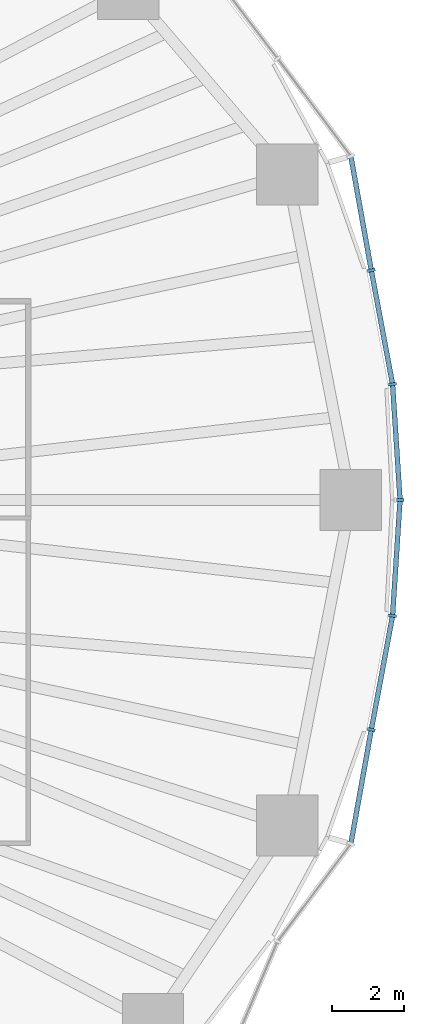
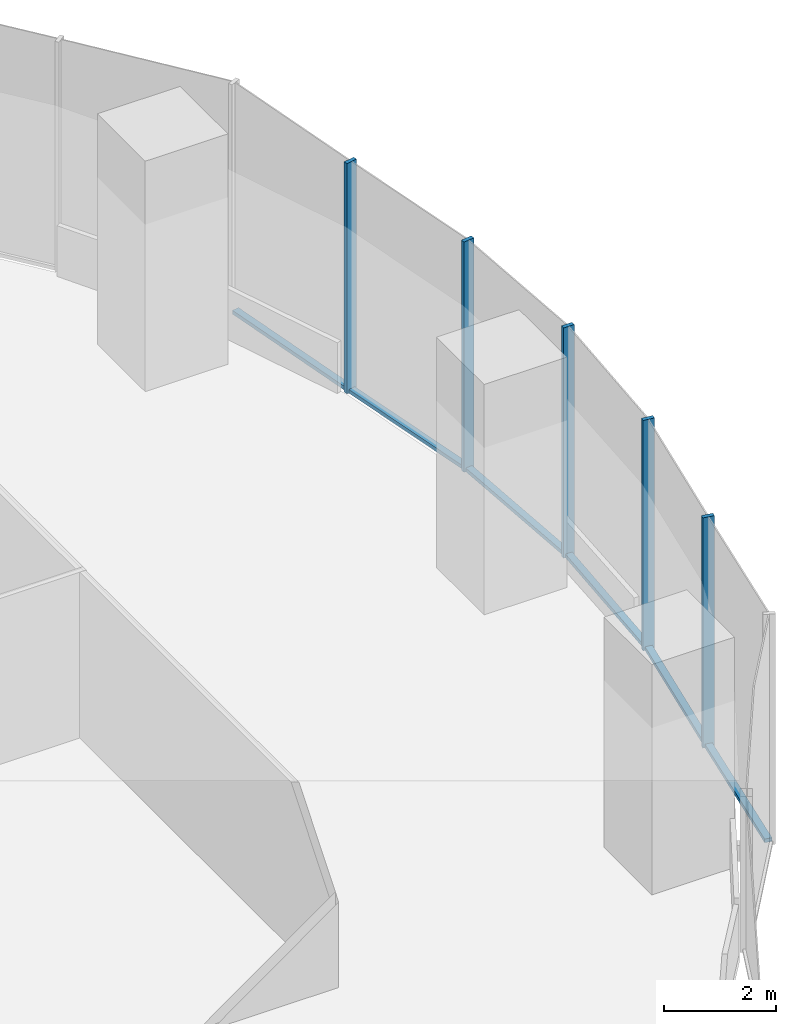
# One storey, part 7 of 20: 11 members, 2 elements without a shape of their own.
"""IFC4 building model written with IfcOpenShell, lengths in metres."""

import ifcopenshell
import ifcopenshell.guid

model = None  # the IFC model being written
_history = None  # IfcOwnerHistory: only IFC2X3 demands one
_inside = {}  # id of a spatial element -> (the spatial element, [elements in it])
_under = {}  # id of a project, library or spatial element -> (it, [spatial elements below it])
_declared = {}  # id of a project -> (the project, [libraries it declares])
_typed = {}  # id of a type object -> (the type object, [elements of that type])
_made_of = {}  # id of a material, layer set ... -> (it, [elements and type objects made of it])


def new_model(schema):
    """Start an empty IFC model of exactly this schema.

    Asked for "IFC4X3", IfcOpenShell would pick the latest addendum, in which some entities
    have other attributes; the version numbers below select the first issue.
    IFC2X3 requires an IfcOwnerHistory on every rooted entity: one is made here for all.
    """
    global model, _history
    if schema == "IFC4X3":
        model = ifcopenshell.file(schema_version=(4, 3, 0, 0))
    else:
        model = ifcopenshell.file(schema=schema)
    _inside.clear()
    _under.clear()
    _declared.clear()
    _typed.clear()
    _made_of.clear()
    _history = None
    if model.schema == "IFC2X3":
        org = make("IfcOrganization", Name="unknown")
        user = make(
            "IfcPersonAndOrganization",
            ThePerson=make("IfcPerson", FamilyName="unknown"),
            TheOrganization=org,
        )
        app = make(
            "IfcApplication",
            ApplicationDeveloper=org,
            Version="unknown",
            ApplicationFullName="unknown",
            ApplicationIdentifier="unknown",
        )
        _history = make(
            "IfcOwnerHistory",
            OwningUser=user,
            OwningApplication=app,
            ChangeAction="ADDED",
            CreationDate=0,
        )
    return model


def make(cls, **values):
    """One entity of the class cls with the attributes given. An attribute that is None is left unset."""
    return model.create_entity(
        cls, **{name: value for name, value in values.items() if value is not None}
    )


def rooted(cls, **values):
    """An entity with a GlobalId (a new one), such as an element, a storey or a relation."""
    return make(cls, GlobalId=ifcopenshell.guid.new(), OwnerHistory=_history, **values)


def si_unit(unit_type, name, prefix=None):
    """IfcSIUnit, for example si_unit("LENGTHUNIT", "METRE", prefix="MILLI")."""
    return make("IfcSIUnit", UnitType=unit_type, Prefix=prefix, Name=name)


def assignment(units):
    """IfcUnitAssignment: the units of a project."""
    return None if units is None else make("IfcUnitAssignment", Units=units)


def point(xyz):
    """IfcCartesianPoint."""
    return None if xyz is None else make("IfcCartesianPoint", Coordinates=xyz)


def direction(xyz):
    """IfcDirection."""
    return None if xyz is None else make("IfcDirection", DirectionRatios=xyz)


def frame(location, z_axis=None, x_axis=None):
    """IfcAxis2Placement3D, a coordinate frame: its origin and axes. An axis left out is left unset."""
    return make(
        "IfcAxis2Placement3D",
        Location=point(location),
        Axis=direction(z_axis),
        RefDirection=direction(x_axis),
    )


def frame_2d(location, x_axis=None):
    """IfcAxis2Placement2D, a coordinate frame in the plane: its origin and x axis."""
    return make(
        "IfcAxis2Placement2D", Location=point(location), RefDirection=direction(x_axis)
    )


def origin():
    """The frame at (0, 0, 0) with its axes left unset."""
    return frame((0.0, 0.0, 0.0))


def origin_2d():
    """The frame at (0, 0) in the plane with its x axis left unset."""
    return frame_2d((0.0, 0.0))


def place(relative_to, where):
    """IfcLocalPlacement: puts the frame where relative to a parent placement (None: the world)."""
    return make(
        "IfcLocalPlacement", PlacementRelTo=relative_to, RelativePlacement=where
    )


def context(
    kind, dimensions, precision=None, world=None, true_north=None, identifier=None
):
    """IfcGeometricRepresentationContext, for example the 3D "Model" context."""
    return make(
        "IfcGeometricRepresentationContext",
        ContextIdentifier=identifier,
        ContextType=kind,
        CoordinateSpaceDimension=dimensions,
        Precision=precision,
        WorldCoordinateSystem=world,
        TrueNorth=true_north,
    )


def subcontext(parent, identifier, kind, view, scale=None):
    """IfcGeometricRepresentationSubContext, for example "Body" below "Model"."""
    return make(
        "IfcGeometricRepresentationSubContext",
        ContextIdentifier=identifier,
        ContextType=kind,
        ParentContext=parent,
        TargetScale=scale,
        TargetView=view,
    )


def project(units=None, contexts=None):
    """IfcProject with its units and contexts."""
    return rooted(
        "IfcProject",
        Name="project",
        RepresentationContexts=contexts,
        UnitsInContext=assignment(units),
    )


def spatial(cls, under=None, at=None, **own):
    """A site, building, storey or space (cls), placed at a placement, below another one or the project."""
    s = rooted(cls, ObjectPlacement=at, **own)
    if under is not None:
        _under.setdefault(under.id(), (under, []))[1].append(s)
    return s


def profile(cls, at=None, kind="AREA", **sizes):
    """A parametric profile (cls). Its sizes go by their IFC names, for example OverallWidth=200.0."""
    return make(cls, ProfileType=kind, Position=at, **sizes)


def rectangle(**sizes):
    """IfcRectangleProfileDef."""
    return profile("IfcRectangleProfileDef", **sizes)


def extrude(swept, where, along, depth):
    """IfcExtrudedAreaSolid: the profile swept, set in the frame where, extruded along a direction by depth."""
    return make(
        "IfcExtrudedAreaSolid",
        SweptArea=swept,
        Position=where,
        ExtrudedDirection=direction(along),
        Depth=depth,
    )


def shape(context_of_items, identifier, shape_type, items):
    """IfcShapeRepresentation: the items that make up one representation, for example the "Body"."""
    return make(
        "IfcShapeRepresentation",
        ContextOfItems=context_of_items,
        RepresentationIdentifier=identifier,
        RepresentationType=shape_type,
        Items=items,
    )


def material(Name=None, Category=None):
    """IfcMaterial."""
    return make("IfcMaterial", Name=Name, Category=Category)


def material_profile(
    of_material, cross_section, Name=None, Category=None, Priority=None
):
    """IfcMaterialProfile: a cross section and its material."""
    return make(
        "IfcMaterialProfile",
        Name=Name,
        Material=of_material,
        Profile=cross_section,
        Priority=Priority,
        Category=Category,
    )


def profile_set(profiles, Name=None, composite=None):
    """IfcMaterialProfileSet."""
    return make(
        "IfcMaterialProfileSet",
        Name=Name,
        MaterialProfiles=profiles,
        CompositeProfile=composite,
    )


def made_of(thing, what):
    """Note that an element or type object is made of a material, layer set ...; save() writes the relation."""
    if what is not None:
        _made_of.setdefault(what.id(), (what, []))[1].append(thing)
    return thing


def type_object(cls, material=None, **own):
    """A type object (cls), such as IfcWallType, which elements share."""
    return made_of(rooted(cls, **own), material)


def element(
    cls,
    number,
    at=None,
    inside=None,
    cuts=None,
    type_object=None,
    material=None,
    context=None,
    identifier="Body",
    shape_type=None,
    held_by="IfcProductDefinitionShape",
    body=None,
    shapes=None,
    **own,
):
    """One element of the class cls, such as IfcWall. Its Tag is "e" and its number.

    at: its placement. inside: the storey or other place that contains it. cuts: it is an
    opening in that element (IfcRelVoidsElement). A single representation is given by context,
    identifier, shape_type and body (its items); several are given by shapes. held_by: the class
    of the entity that holds the representations. save() writes the other relations.
    """
    e = rooted(cls, Tag="e%d" % number, ObjectPlacement=at, **own)
    if body is not None:
        shapes = [shape(context, identifier, shape_type, body)]
    if shapes is not None:
        e.Representation = make(held_by, Representations=shapes)
    if inside is not None:
        _inside.setdefault(inside.id(), (inside, []))[1].append(e)
    if cuts is not None:
        rooted(
            "IfcRelVoidsElement", RelatingBuildingElement=cuts, RelatedOpeningElement=e
        )
    if type_object is not None:
        _typed.setdefault(type_object.id(), (type_object, []))[1].append(e)
    return made_of(e, material)


def aggregate(whole, parts):
    """IfcRelAggregates: a whole, such as a stair, and the parts it consists of."""
    return rooted("IfcRelAggregates", RelatingObject=whole, RelatedObjects=parts)


def save(model, path):
    """Write the relations noted so far, then the file.

    IfcRelAggregates (storeys below a building ...), IfcRelContainedInSpatialStructure (elements
    in a storey), IfcRelDefinesByType, IfcRelAssociatesMaterial and IfcRelDeclares: one each for
    every whole, place, type object, material and project.
    """
    for whole, parts in _under.values():
        aggregate(whole, parts)
    for where, things in _inside.values():
        rooted(
            "IfcRelContainedInSpatialStructure",
            RelatedElements=things,
            RelatingStructure=where,
        )
    for kind, things in _typed.values():
        rooted("IfcRelDefinesByType", RelatedObjects=things, RelatingType=kind)
    for what, things in _made_of.values():
        rooted("IfcRelAssociatesMaterial", RelatedObjects=things, RelatingMaterial=what)
    for by, libraries in _declared.values():
        rooted("IfcRelDeclares", RelatingContext=by, RelatedDefinitions=libraries)
    model.write(path)


model = new_model("IFC4")

# Units and contexts
model_context = context("Model", 3, precision=1e-05, world=origin(), true_north=direction((0.0, 1.0)))
body_context = subcontext(model_context, "Body", "Model", "MODEL_VIEW")
ifc_project = project(units=[si_unit("LENGTHUNIT", "METRE"), si_unit("AREAUNIT", "SQUARE_METRE"), si_unit("VOLUMEUNIT", "CUBIC_METRE"), si_unit("PLANEANGLEUNIT", "RADIAN"), si_unit("MASSUNIT", "GRAM", prefix="KILO")], contexts=[model_context])

# Site, building, storey
site_placement = place(None, origin())
site = spatial("IfcSite", under=ifc_project, at=site_placement, CompositionType="ELEMENT")
building_placement = place(site_placement, origin())
building = spatial("IfcBuilding", under=site, at=building_placement, Name="Ghaith Harvest Tower", CompositionType="ELEMENT")
storey_placement = place(building_placement, frame((0.0, 0.0, 65.0)))
storey = spatial("IfcBuildingStorey", under=building, at=storey_placement, Name="L13", CompositionType="ELEMENT", Elevation=65.0)

# Curtain wall, members
ifc_material_1 = material(Name="Black anodised aluminium and fritted glass", Category="aluminium")
curtain_wall_type = type_object("IfcCurtainWallType", Name="CW-F CURTAIN WALL", PredefinedType="NOTDEFINED", material=ifc_material_1)
curtain_wall_1_placement = place(storey_placement, origin())
curtain_wall_1 = element("IfcCurtainWall", 1, at=curtain_wall_1_placement, inside=storey, type_object=curtain_wall_type, Name="Curtain wall CW-F bay 01 L13", PredefinedType="NOTDEFINED")
ifc_material_2 = material(Name="Aluminium, black anodised", Category="aluminium")
ifc_material_profile_1 = material_profile(ifc_material_2, rectangle(XDim=0.080078125, YDim=0.219970703125, at=origin_2d()), Name="CW-F MULLION 80x220")
ifc_profile_set_1 = profile_set([ifc_material_profile_1], Name="Aluminium, black anodised")
member_type_1 = type_object("IfcMemberType", Name="CW-F MULLION 80x220", PredefinedType="MULLION", material=ifc_profile_set_1)
member_1_placement = place(storey_placement, frame((34.284912109375, 0.0, 0.0), z_axis=(0.0, 0.0, 1.0), x_axis=(1.05e-10, 1.0, 0.0)))
member_1 = element("IfcMember", 2, at=member_1_placement, type_object=member_type_1, Name="CW-F mullion 1 bay 01 L13", PredefinedType="MULLION", context=body_context, shape_type="SweptSolid", body=[
    extrude(rectangle(XDim=0.080078125, YDim=0.219970703125, at=origin_2d()), origin(), (0.0, 0.0, 1.0), 5.0),
])
member_2_placement = place(storey_placement, frame((34.077880859375, 3.205322265625, 0.0), z_axis=(0.0, 0.0, 1.0), x_axis=(-0.12416951168, 0.992261020281, 0.0)))
member_2 = element("IfcMember", 3, at=member_2_placement, type_object=member_type_1, Name="CW-F mullion 2 bay 01 L13", PredefinedType="MULLION", context=body_context, shape_type="SweptSolid", body=[
    extrude(rectangle(XDim=0.080078125, YDim=0.219970703125, at=origin_2d()), origin(), (0.0, 0.0, 1.0), 5.0),
])
member_3_placement = place(storey_placement, frame((33.489501953125, 6.3564453125, 0.0), z_axis=(0.0, 0.0, 1.0), x_axis=(-0.179943325455, 0.98367697931, 0.0)))
member_3 = element("IfcMember", 4, at=member_3_placement, type_object=member_type_1, Name="CW-F mullion 3 bay 01 L13", PredefinedType="MULLION", context=body_context, shape_type="SweptSolid", body=[
    extrude(rectangle(XDim=0.080078125, YDim=0.219970703125, at=origin_2d()), origin(), (0.0, 0.0, 1.0), 5.0),
])

curtain_wall_2_placement = place(storey_placement, origin())
curtain_wall_2 = element("IfcCurtainWall", 5, at=curtain_wall_2_placement, inside=storey, type_object=curtain_wall_type, Name="Curtain wall CW-F bay 20 L13", PredefinedType="NOTDEFINED")
member_4_placement = place(storey_placement, frame((33.489501953125, -6.3564453125, 0.0), z_axis=(0.0, 0.0, 1.0), x_axis=(0.17994332573, 0.98367697926, 0.0)))
member_4 = element("IfcMember", 6, at=member_4_placement, type_object=member_type_1, Name="CW-F mullion 2 bay 20 L13", PredefinedType="MULLION", context=body_context, shape_type="SweptSolid", body=[
    extrude(rectangle(XDim=0.080078125, YDim=0.219970703125, at=origin_2d()), origin(), (0.0, 0.0, 1.0), 5.0),
])
member_5_placement = place(storey_placement, frame((34.077880859375, -3.205322265625, 0.0), z_axis=(0.0, 0.0, 1.0), x_axis=(0.124169511819, 0.992261020264, 0.0)))
member_5 = element("IfcMember", 7, at=member_5_placement, type_object=member_type_1, Name="CW-F mullion 3 bay 20 L13", PredefinedType="MULLION", context=body_context, shape_type="SweptSolid", body=[
    extrude(rectangle(XDim=0.080078125, YDim=0.219970703125, at=origin_2d()), origin(), (0.0, 0.0, 1.0), 5.0),
])

# Member
ifc_material_3 = material(Name="Aluminium, black anodised", Category="aluminium")
ifc_material_profile_2 = material_profile(ifc_material_3, rectangle(XDim=0.139892578125, YDim=0.080078125, at=origin_2d()), Name="CW-F TRANSOM 140x80")
ifc_profile_set_2 = profile_set([ifc_material_profile_2], Name="Aluminium, black anodised")
member_type_2 = type_object("IfcMemberType", Name="CW-F TRANSOM 140x80", PredefinedType="USERDEFINED", material=ifc_profile_set_2)
member_6_placement = place(storey_placement, frame((34.282470703125, 0.039794921875, 0.0400390625), z_axis=(-0.064459898973, 0.997920298132, 0.0), x_axis=(-0.997920298132, -0.064459898973, 0.0)))
member_6 = element("IfcMember", 8, at=member_6_placement, type_object=member_type_2, Name="CW-F transom 1 bay 01 L13", ObjectType="TRANSOM", PredefinedType="USERDEFINED", context=body_context, shape_type="SweptSolid", body=[
    extrude(rectangle(XDim=0.139892578125, YDim=0.080078125, at=origin_2d()), origin(), (0.0, 0.0, 1.0), 3.13232421875),
])

member_7_placement = place(storey_placement, frame((34.070556640625, 3.24462890625, 0.0400390625), z_axis=(-0.183557496381, 0.983008975301, 0.0), x_axis=(-0.983008975301, -0.183557496381, 0.0)))
member_7 = element("IfcMember", 9, at=member_7_placement, type_object=member_type_2, Name="CW-F transom 2 bay 01 L13", ObjectType="TRANSOM", PredefinedType="USERDEFINED", context=body_context, shape_type="SweptSolid", body=[
    extrude(rectangle(XDim=0.139892578125, YDim=0.080078125, at=origin_2d()), origin(), (0.0, 0.0, 1.0), 3.125732421875),
])

member_8_placement = place(storey_placement, frame((33.482421875, 6.395751953125, 0.0400390625), z_axis=(-0.176303612865, 0.984335835013, 0.0), x_axis=(-0.984335835013, -0.176303612865, 0.0)))
member_8 = element("IfcMember", 10, at=member_8_placement, type_object=member_type_2, Name="CW-F transom 3 bay 01 L13", ObjectType="TRANSOM", PredefinedType="USERDEFINED", context=body_context, shape_type="SweptSolid", body=[
    extrude(rectangle(XDim=0.139892578125, YDim=0.080078125, at=origin_2d()), origin(), (0.0, 0.0, 1.0), 3.129638671875),
])

aggregate(curtain_wall_1, [member_1, member_6, member_2, member_7, member_3, member_8])

member_9_placement = place(storey_placement, frame((32.9306640625, -9.476318359375, 0.0400390625), z_axis=(0.176303612865, 0.984335835013, 0.0), x_axis=(-0.984335835013, 0.176303612865, 0.0)))
member_9 = element("IfcMember", 11, at=member_9_placement, type_object=member_type_2, Name="CW-F transom 1 bay 20 L13", ObjectType="TRANSOM", PredefinedType="USERDEFINED", context=body_context, shape_type="SweptSolid", body=[
    extrude(rectangle(XDim=0.139892578125, YDim=0.080078125, at=origin_2d()), origin(), (0.0, 0.0, 1.0), 3.129638671875),
])

member_10_placement = place(storey_placement, frame((33.496826171875, -6.317138671875, 0.0400390625), z_axis=(0.183557496381, 0.983008975301, 0.0), x_axis=(-0.983008975301, 0.183557496381, 0.0)))
member_10 = element("IfcMember", 12, at=member_10_placement, type_object=member_type_2, Name="CW-F transom 2 bay 20 L13", ObjectType="TRANSOM", PredefinedType="USERDEFINED", context=body_context, shape_type="SweptSolid", body=[
    extrude(rectangle(XDim=0.139892578125, YDim=0.080078125, at=origin_2d()), origin(), (0.0, 0.0, 1.0), 3.125732421875),
])

member_11_placement = place(storey_placement, frame((34.08056640625, -3.16552734375, 0.0400390625), z_axis=(0.064459898973, 0.997920298132, 0.0), x_axis=(-0.997920298132, 0.064459898973, 0.0)))
member_11 = element("IfcMember", 13, at=member_11_placement, type_object=member_type_2, Name="CW-F transom 3 bay 20 L13", ObjectType="TRANSOM", PredefinedType="USERDEFINED", context=body_context, shape_type="SweptSolid", body=[
    extrude(rectangle(XDim=0.139892578125, YDim=0.080078125, at=origin_2d()), origin(), (0.0, 0.0, 1.0), 3.13232421875),
])

aggregate(curtain_wall_2, [member_9, member_4, member_10, member_5, member_11])

save(model, "model.ifc")
